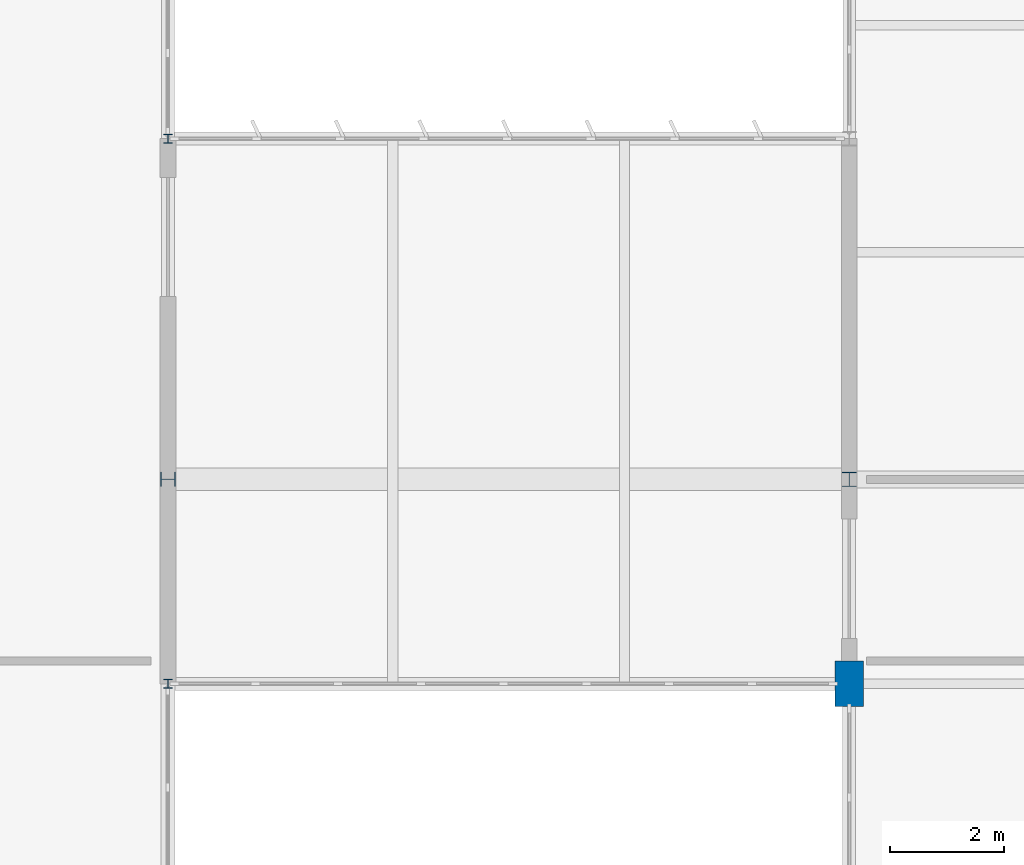
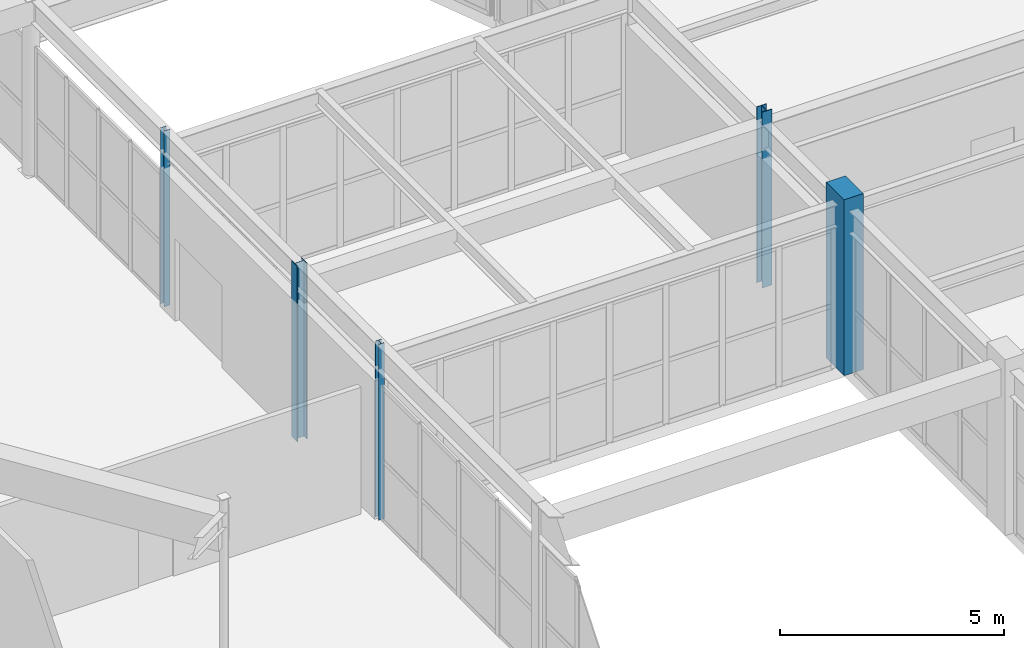
# One storey, part 35 of 186: 5 columns.
"""IFC4 building model written with IfcOpenShell, lengths in metres."""

from ifc_helpers import new_model, si_unit, direction, frame, origin, origin_2d, place, context, subcontext, project, spatial, rectangle, i_section, extrude, material, material_profile, profile_set, type_object, element, save


model = new_model("IFC4")

# Units and contexts
model_context = context("Model", 3, precision=1e-05, world=origin(), true_north=direction((0.0, 1.0)))
body_context = subcontext(model_context, "Body", "Model", "MODEL_VIEW")
ifc_project = project(units=[si_unit("LENGTHUNIT", "METRE"), si_unit("AREAUNIT", "SQUARE_METRE"), si_unit("VOLUMEUNIT", "CUBIC_METRE"), si_unit("PLANEANGLEUNIT", "RADIAN"), si_unit("MASSUNIT", "GRAM", prefix="KILO")], contexts=[model_context])

# Site, building, storey
site_placement = place(None, origin())
site = spatial("IfcSite", under=ifc_project, at=site_placement, CompositionType="ELEMENT")
building_placement = place(site_placement, origin())
building = spatial("IfcBuilding", under=site, at=building_placement, Name="Tarnwether General Hospital", CompositionType="ELEMENT")
storey_placement = place(building_placement, frame((0.0, 0.0, 9.60009765625)))
storey = spatial("IfcBuildingStorey", under=building, at=storey_placement, Name="L02", CompositionType="ELEMENT", Elevation=9.60009765625)

# Columns
ifc_material_1 = material(Name="Steel Grade 350 (350 MPa)", Category="steel")
ifc_material_profile_1 = material_profile(ifc_material_1, i_section(OverallWidth=0.256103515625, OverallDepth=0.260009765625, WebThickness=0.010498046875, FlangeThickness=0.017333984375, at=origin_2d()), Name="250UC89.5")
ifc_profile_set_1 = profile_set([ifc_material_profile_1], Name="Steel Grade 350 (350 MPa)")
column_type_1 = type_object("IfcColumnType", Name="COL-09", PredefinedType="COLUMN", material=ifc_profile_set_1)
column_1_placement = place(storey_placement, frame((132.0, 21.60009765625, 0.0), z_axis=(0.0, 0.0, 1.0), x_axis=(0.0, 1.0, 0.0)))
element("IfcColumn", 1, at=column_1_placement, inside=storey, type_object=column_type_1, Name="Column COLG-L02-13200_2160", PredefinedType="COLUMN", context=body_context, shape_type="SweptSolid", body=[
    extrude(i_section(OverallWidth=0.256103515625, OverallDepth=0.260009765625, WebThickness=0.010498046875, FlangeThickness=0.017333984375, at=origin_2d()), origin(), (0.0, 0.0, 1.0), 4.7998046875),
])
ifc_material_2 = material(Name="Concrete 50 MPa", Category="concrete")
ifc_material_profile_2 = material_profile(ifc_material_2, rectangle(XDim=0.5, YDim=0.800048828125, at=origin_2d()), Name="RC-PIL-500x800")
ifc_profile_set_2 = profile_set([ifc_material_profile_2], Name="Concrete 50 MPa")
column_type_2 = type_object("IfcColumnType", Name="COL-23", PredefinedType="PILASTER", material=ifc_profile_set_2)
column_2_placement = place(storey_placement, frame((144.0, 18.0, 0.0), z_axis=(0.0, 0.0, 1.0), x_axis=(1.0, 0.0, 0.0)))
element("IfcColumn", 2, at=column_2_placement, inside=storey, type_object=column_type_2, Name="Column COLG-L02-14400_1800", PredefinedType="PILASTER", context=body_context, shape_type="SweptSolid", body=[
    extrude(rectangle(XDim=0.5, YDim=0.800048828125, at=origin_2d()), origin(), (0.0, 0.0, 1.0), 4.7998046875),
])
ifc_material_3 = material(Name="Steel Grade 350 (350 MPa)", Category="steel")
ifc_material_profile_3 = material_profile(ifc_material_3, i_section(OverallWidth=0.25390625, OverallDepth=0.25390625, WebThickness=0.008544921875, FlangeThickness=0.01416015625, at=origin_2d()), Name="250UC72.9")
ifc_profile_set_3 = profile_set([ifc_material_profile_3], Name="Steel Grade 350 (350 MPa)")
column_type_3 = type_object("IfcColumnType", Name="COL-24", PredefinedType="COLUMN", material=ifc_profile_set_3)
column_3_placement = place(storey_placement, frame((144.0, 21.60009765625, 0.0), z_axis=(0.0, 0.0, 1.0), x_axis=(1.0, 0.0, 0.0)))
element("IfcColumn", 3, at=column_3_placement, inside=storey, type_object=column_type_3, Name="Column COLG-L02-14400_2160", PredefinedType="COLUMN", context=body_context, shape_type="SweptSolid", body=[
    extrude(i_section(OverallWidth=0.25390625, OverallDepth=0.25390625, WebThickness=0.008544921875, FlangeThickness=0.01416015625, at=origin_2d()), origin(), (0.0, 0.0, 1.0), 4.7998046875),
])
ifc_material_4 = material(Name="Steel Grade 350 (350 MPa)", Category="steel")
ifc_material_profile_4 = material_profile(ifc_material_4, i_section(OverallWidth=0.153076171875, OverallDepth=0.157958984375, WebThickness=0.006591796875, FlangeThickness=0.009521484375, at=origin_2d()), Name="150UC30.0")
ifc_profile_set_4 = profile_set([ifc_material_profile_4], Name="Steel Grade 350 (350 MPa)")
column_type_4 = type_object("IfcColumnType", Name="COL-31", PredefinedType="COLUMN", material=ifc_profile_set_4)
column_4_placement = place(storey_placement, frame((132.0, 18.0, 0.0), z_axis=(0.0, 0.0, 1.0), x_axis=(1.0, 0.0, 0.0)))
element("IfcColumn", 4, at=column_4_placement, inside=storey, type_object=column_type_4, Name="Column COLG-L02-13200_1800", PredefinedType="COLUMN", context=body_context, shape_type="SweptSolid", body=[
    extrude(i_section(OverallWidth=0.153076171875, OverallDepth=0.157958984375, WebThickness=0.006591796875, FlangeThickness=0.009521484375, at=origin_2d()), origin(), (0.0, 0.0, 1.0), 4.7998046875),
])
ifc_material_5 = material(Name="Steel Grade 350 (350 MPa)", Category="steel")
ifc_material_profile_5 = material_profile(ifc_material_5, i_section(OverallWidth=0.152099609375, OverallDepth=0.152099609375, WebThickness=0.006103515625, FlangeThickness=0.0068359375, at=origin_2d()), Name="150UC23.4")
ifc_profile_set_5 = profile_set([ifc_material_profile_5], Name="Steel Grade 350 (350 MPa)")
column_type_5 = type_object("IfcColumnType", Name="COL-32", PredefinedType="COLUMN", material=ifc_profile_set_5)
column_5_placement = place(storey_placement, frame((132.0, 27.60009765625, 0.0), z_axis=(0.0, 0.0, 1.0), x_axis=(1.0, 0.0, 0.0)))
element("IfcColumn", 5, at=column_5_placement, inside=storey, type_object=column_type_5, Name="Column COLG-L02-13200_2760", PredefinedType="COLUMN", context=body_context, shape_type="SweptSolid", body=[
    extrude(i_section(OverallWidth=0.152099609375, OverallDepth=0.152099609375, WebThickness=0.006103515625, FlangeThickness=0.0068359375, at=origin_2d()), origin(), (0.0, 0.0, 1.0), 4.7998046875),
])

save(model, "model.ifc")
